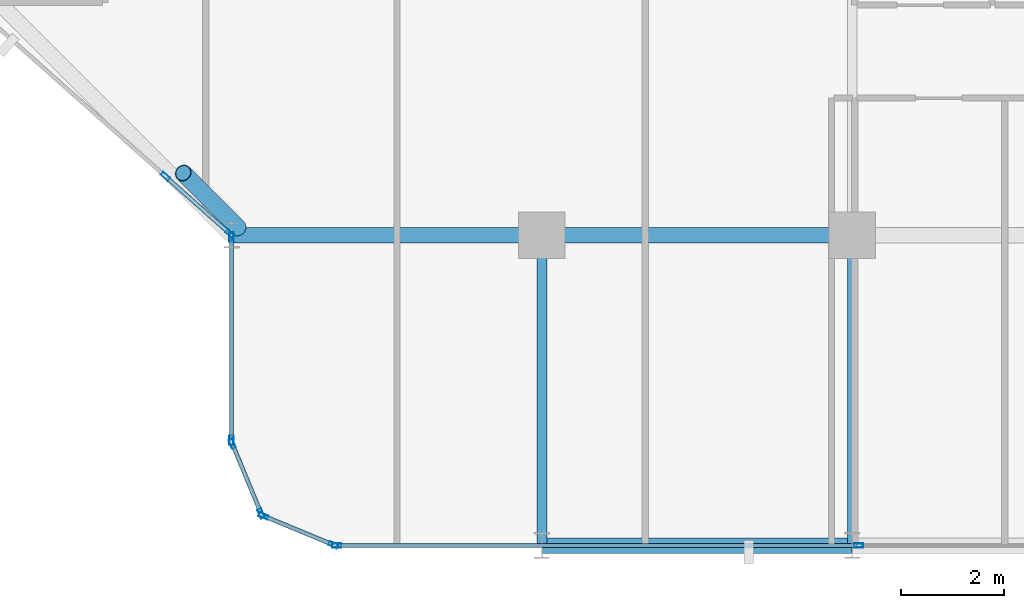
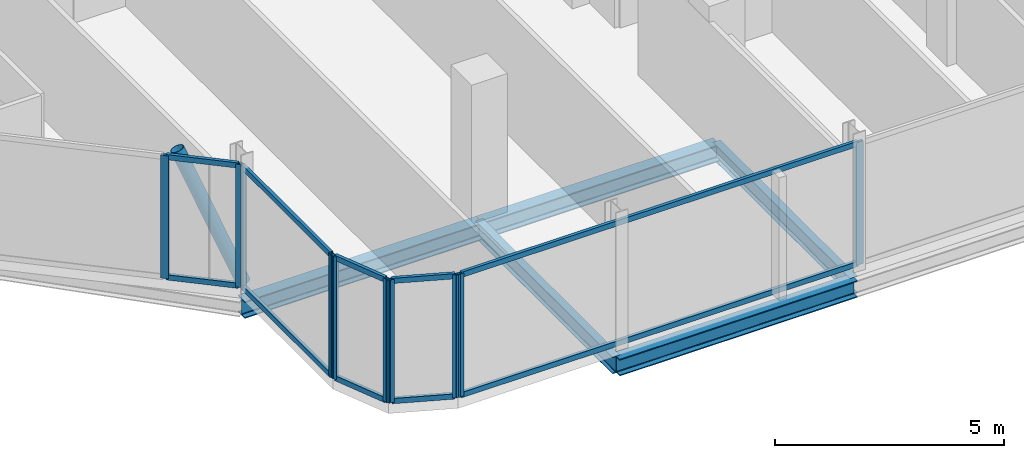
# One storey, part 5 of 31: 21 members, 5 beams, 5 elements without a shape of their own.
"""IFC4 building model written with IfcOpenShell, lengths in metres."""

from ifc_helpers import new_model, si_unit, direction, frame, origin, origin_2d, place, context, subcontext, project, spatial, hollow_rectangle, hollow_circle, i_section, extrude, material, layer, layer_set, material_profile, profile_set, type_object, element, aggregate, save


model = new_model("IFC4")

# Units and contexts
model_context = context("Model", 3, precision=1e-05, world=origin(), true_north=direction((0.0, 1.0)))
body_context = subcontext(model_context, "Body", "Model", "MODEL_VIEW")
ifc_project = project(units=[si_unit("LENGTHUNIT", "METRE"), si_unit("AREAUNIT", "SQUARE_METRE"), si_unit("VOLUMEUNIT", "CUBIC_METRE"), si_unit("PLANEANGLEUNIT", "RADIAN"), si_unit("MASSUNIT", "GRAM", prefix="KILO")], contexts=[model_context])

# Site, building, storey
site_placement = place(None, origin())
site = spatial("IfcSite", under=ifc_project, at=site_placement, CompositionType="ELEMENT")
building_placement = place(site_placement, origin())
building = spatial("IfcBuilding", under=site, at=building_placement, Name="Keshet Zoharim Tower", CompositionType="ELEMENT")
storey_placement = place(building_placement, frame((0.0, 0.0, 155.699951171875)))
storey = spatial("IfcBuildingStorey", under=building, at=storey_placement, Name="L38", CompositionType="ELEMENT", Elevation=155.699951171875)

# Beams
ifc_material_1 = material(Name="Steel S355", Category="steel")
ifc_material_profile_1 = material_profile(ifc_material_1, i_section(OverallWidth=0.18994140625, OverallDepth=0.449951171875, WebThickness=0.009521484375, FlangeThickness=0.0146484375, FilletRadius=0.02099609375, at=origin_2d()), Name="IPE450")
ifc_profile_set_1 = profile_set([ifc_material_profile_1], Name="Steel S355")
beam_type_1 = type_object("IfcBeamType", Name="BM-PRI-IP450", PredefinedType="BEAM", material=ifc_profile_set_1)
for number, where, z_axis, x_axis, name in (
    (1, (27.0, 0.699951171875, -0.5400390625), (0.0, 1.0, 0.0), (-1.0, 0.0, 0.0), "L38 Primary Girder Y-004"),
    (2, (33.0, 0.699951171875, -0.5400390625), (0.0, 1.0, 0.0), (-1.0, 0.0, 0.0), "L38 Primary Girder Y-005"),
):
    element("IfcBeam", number, at=place(storey_placement, frame(where, z_axis=z_axis, x_axis=x_axis)), inside=storey, type_object=beam_type_1, Name=name, PredefinedType="BEAM", context=body_context, shape_type="SweptSolid", body=[
        extrude(i_section(OverallWidth=0.18994140625, OverallDepth=0.449951171875, WebThickness=0.009521484375, FlangeThickness=0.0146484375, FilletRadius=0.02099609375, at=origin_2d()), origin(), (0.0, 0.0, 1.0), 6.0),
    ])
ifc_material_profile_2 = material_profile(ifc_material_1, i_section(OverallWidth=0.300048828125, OverallDepth=0.449951171875, WebThickness=0.013916015625, FlangeThickness=0.02587890625, FilletRadius=0.027099609375, at=origin_2d()), Name="HEB450")
ifc_profile_set_2 = profile_set([ifc_material_profile_2], Name="Steel S355")
beam_type_2 = type_object("IfcBeamType", Name="BM-WEB-HB450", PredefinedType="BEAM", material=ifc_profile_set_2)
for number, where, z_axis, x_axis, name in (
    (3, (27.0, 0.699951171875, -0.5400390625), (1.0, 0.0, 0.0), (0.0, 1.0, 0.0), "L38 Primary Girder X-001"),
    (4, (21.0, 6.699951171875, -0.5400390625), (1.0, 0.0, 0.0), (0.0, 1.0, 0.0), "L38 Primary Girder X-005"),
    (5, (27.0, 6.699951171875, -0.5400390625), (1.0, 0.0, 0.0), (0.0, 1.0, 0.0), "L38 Primary Girder X-006"),
):
    element("IfcBeam", number, at=place(storey_placement, frame(where, z_axis=z_axis, x_axis=x_axis)), inside=storey, type_object=beam_type_2, Name=name, PredefinedType="BEAM", context=body_context, shape_type="SweptSolid", body=[
        extrude(i_section(OverallWidth=0.300048828125, OverallDepth=0.449951171875, WebThickness=0.013916015625, FlangeThickness=0.02587890625, FilletRadius=0.027099609375, at=origin_2d()), origin(), (0.0, 0.0, 1.0), 6.0),
    ])

# Curtain wall, members
ifc_material_2 = material(Name="Aluminium 6063-T6", Category="aluminium")
ifc_layer = layer(ifc_material_2, 0.159912109375)
ifc_layer_set = layer_set([ifc_layer], Name="Aluminium 6063-T6")
curtain_wall_type = type_object("IfcCurtainWallType", Name="CW-SYS-03", PredefinedType="NOTDEFINED", material=ifc_layer_set)
curtain_wall_1_placement = place(storey_placement, origin())
curtain_wall_1 = element("IfcCurtainWall", 6, at=curtain_wall_1_placement, inside=storey, type_object=curtain_wall_type, Name="L38 Unitised Curtain Wall 03 Part 3", PredefinedType="NOTDEFINED")
ifc_material_profile_3 = material_profile(ifc_material_2, hollow_rectangle(XDim=0.080078125, YDim=0.179931640625, WallThickness=0.00439453125, at=origin_2d()), Name="MUL-80x180")
ifc_profile_set_3 = profile_set([ifc_material_profile_3], Name="Aluminium 6063-T6")
member_type_1 = type_object("IfcMemberType", Name="CWM-M18", PredefinedType="MULLION", material=ifc_profile_set_3)
member_1_placement = place(storey_placement, frame((33.12646484375, 0.699951171875, 0.0), z_axis=(0.0, 0.0, 1.0), x_axis=(0.0, -1.0, 0.0)))
member_1 = element("IfcMember", 7, at=member_1_placement, type_object=member_type_1, Name="CW-03 mullion 2", PredefinedType="MULLION", context=body_context, shape_type="SweptSolid", body=[
    extrude(hollow_rectangle(XDim=0.080078125, YDim=0.179931640625, WallThickness=0.00439453125, at=origin_2d()), origin(), (0.0, 0.0, 1.0), 3.280029296875),
])
member_2_placement = place(storey_placement, frame((23.034912109375, 0.699951171875, 0.0), z_axis=(0.0, 0.0, 1.0), x_axis=(0.0, -1.0, 0.0)))
member_2 = element("IfcMember", 8, at=member_2_placement, type_object=member_type_1, Name="CW-03 mullion 3", PredefinedType="MULLION", context=body_context, shape_type="SweptSolid", body=[
    extrude(hollow_rectangle(XDim=0.080078125, YDim=0.179931640625, WallThickness=0.00439453125, at=origin_2d()), origin(), (0.0, 0.0, 1.0), 3.280029296875),
])

curtain_wall_2_placement = place(storey_placement, origin())
curtain_wall_2 = element("IfcCurtainWall", 9, at=curtain_wall_2_placement, inside=storey, type_object=curtain_wall_type, Name="L38 Unitised Curtain Wall 04", PredefinedType="NOTDEFINED")
member_3_placement = place(storey_placement, frame((22.9677734375, 0.71337890625, 0.0), z_axis=(0.0, 0.0, 1.0), x_axis=(-0.382851849847, -0.92380975372, 0.0)))
member_3 = element("IfcMember", 10, at=member_3_placement, type_object=member_type_1, Name="CW-03 mullion 1", PredefinedType="MULLION", context=body_context, shape_type="SweptSolid", body=[
    extrude(hollow_rectangle(XDim=0.080078125, YDim=0.179931640625, WallThickness=0.00439453125, at=origin_2d()), origin(), (0.0, 0.0, 1.0), 3.280029296875),
])
member_4_placement = place(storey_placement, frame((21.618408203125, 1.272705078125, 0.0), z_axis=(0.0, 0.0, 1.0), x_axis=(-0.382851849847, -0.92380975372, 0.0)))
member_4 = element("IfcMember", 11, at=member_4_placement, type_object=member_type_1, Name="CW-03 mullion 2", PredefinedType="MULLION", context=body_context, shape_type="SweptSolid", body=[
    extrude(hollow_rectangle(XDim=0.080078125, YDim=0.179931640625, WallThickness=0.00439453125, at=origin_2d()), origin(), (0.0, 0.0, 1.0), 3.280029296875),
])

curtain_wall_3_placement = place(storey_placement, origin())
curtain_wall_3 = element("IfcCurtainWall", 12, at=curtain_wall_3_placement, inside=storey, type_object=curtain_wall_type, Name="L38 Unitised Curtain Wall 05", PredefinedType="NOTDEFINED")
member_5_placement = place(storey_placement, frame((21.572509765625, 1.318359375, 0.0), z_axis=(0.0, 0.0, 1.0), x_axis=(-0.92380975372, -0.382851849847, 0.0)))
member_5 = element("IfcMember", 13, at=member_5_placement, type_object=member_type_1, Name="CW-03 mullion 1", PredefinedType="MULLION", context=body_context, shape_type="SweptSolid", body=[
    extrude(hollow_rectangle(XDim=0.080078125, YDim=0.179931640625, WallThickness=0.00439453125, at=origin_2d()), origin(), (0.0, 0.0, 1.0), 3.280029296875),
])
member_6_placement = place(storey_placement, frame((21.013427734375, 2.667724609375, 0.0), z_axis=(0.0, 0.0, 1.0), x_axis=(-0.92380975372, -0.382851849847, 0.0)))
member_6 = element("IfcMember", 14, at=member_6_placement, type_object=member_type_1, Name="CW-03 mullion 2", PredefinedType="MULLION", context=body_context, shape_type="SweptSolid", body=[
    extrude(hollow_rectangle(XDim=0.080078125, YDim=0.179931640625, WallThickness=0.00439453125, at=origin_2d()), origin(), (0.0, 0.0, 1.0), 3.280029296875),
])

curtain_wall_4_placement = place(storey_placement, origin())
curtain_wall_4 = element("IfcCurtainWall", 15, at=curtain_wall_4_placement, inside=storey, type_object=curtain_wall_type, Name="L38 Unitised Curtain Wall 06", PredefinedType="NOTDEFINED")
member_7_placement = place(storey_placement, frame((21.0, 2.735107421875, 0.0), z_axis=(0.0, 0.0, 1.0), x_axis=(-1.0, 0.0, 0.0)))
member_7 = element("IfcMember", 16, at=member_7_placement, type_object=member_type_1, Name="CW-03 mullion 1", PredefinedType="MULLION", context=body_context, shape_type="SweptSolid", body=[
    extrude(hollow_rectangle(XDim=0.080078125, YDim=0.179931640625, WallThickness=0.00439453125, at=origin_2d()), origin(), (0.0, 0.0, 1.0), 3.280029296875),
])
member_8_placement = place(storey_placement, frame((21.0, 6.6650390625, 0.0), z_axis=(0.0, 0.0, 1.0), x_axis=(-1.0, 0.0, 0.0)))
member_8 = element("IfcMember", 17, at=member_8_placement, type_object=member_type_1, Name="CW-03 mullion 2", PredefinedType="MULLION", context=body_context, shape_type="SweptSolid", body=[
    extrude(hollow_rectangle(XDim=0.080078125, YDim=0.179931640625, WallThickness=0.00439453125, at=origin_2d()), origin(), (0.0, 0.0, 1.0), 3.280029296875),
])

curtain_wall_5_placement = place(storey_placement, origin())
curtain_wall_5 = element("IfcCurtainWall", 18, at=curtain_wall_5_placement, inside=storey, type_object=curtain_wall_type, Name="L38 Unitised Curtain Wall 07", PredefinedType="NOTDEFINED")
member_9_placement = place(storey_placement, frame((20.973876953125, 6.72314453125, 0.0), z_axis=(0.0, 0.0, 1.0), x_axis=(-0.664378063354, -0.74739667442, 0.0)))
member_9 = element("IfcMember", 19, at=member_9_placement, type_object=member_type_1, Name="CW-03 mullion 1", PredefinedType="MULLION", context=body_context, shape_type="SweptSolid", body=[
    extrude(hollow_rectangle(XDim=0.080078125, YDim=0.179931640625, WallThickness=0.00439453125, at=origin_2d()), origin(), (0.0, 0.0, 1.0), 3.280029296875),
])
member_10_placement = place(storey_placement, frame((19.7216796875, 7.83642578125, 0.0), z_axis=(0.0, 0.0, 1.0), x_axis=(-0.664378063354, -0.74739667442, 0.0)))
member_10 = element("IfcMember", 20, at=member_10_placement, type_object=member_type_1, Name="CW-03 mullion 2", PredefinedType="MULLION", context=body_context, shape_type="SweptSolid", body=[
    extrude(hollow_rectangle(XDim=0.080078125, YDim=0.179931640625, WallThickness=0.00439453125, at=origin_2d()), origin(), (0.0, 0.0, 1.0), 3.280029296875),
])

# Member
ifc_material_profile_4 = material_profile(ifc_material_2, hollow_rectangle(XDim=0.080078125, YDim=0.139892578125, WallThickness=0.00390625, at=origin_2d()), Name="TRN-80x140")
ifc_profile_set_4 = profile_set([ifc_material_profile_4], Name="Aluminium 6063-T6")
member_type_2 = type_object("IfcMemberType", Name="CWT-T14", PredefinedType="USERDEFINED", material=ifc_profile_set_4)
member_11_placement = place(storey_placement, frame((33.09130859375, 0.699951171875, 0.03515625), z_axis=(-1.0, 0.0, 0.0), x_axis=(0.0, -1.0, 0.0)))
member_11 = element("IfcMember", 21, at=member_11_placement, type_object=member_type_2, Name="CW-03 transom 2.1", ObjectType="TRANSOM", PredefinedType="USERDEFINED", context=body_context, shape_type="SweptSolid", body=[
    extrude(hollow_rectangle(XDim=0.080078125, YDim=0.139892578125, WallThickness=0.00390625, at=origin_2d()), origin(), (0.0, 0.0, 1.0), 10.021240234375),
])

member_12_placement = place(storey_placement, frame((33.09130859375, 0.699951171875, 3.2451171875), z_axis=(-1.0, 0.0, 0.0), x_axis=(0.0, -1.0, 0.0)))
member_12 = element("IfcMember", 22, at=member_12_placement, type_object=member_type_2, Name="CW-03 transom 2.2", ObjectType="TRANSOM", PredefinedType="USERDEFINED", context=body_context, shape_type="SweptSolid", body=[
    extrude(hollow_rectangle(XDim=0.080078125, YDim=0.139892578125, WallThickness=0.00390625, at=origin_2d()), origin(), (0.0, 0.0, 1.0), 10.021240234375),
])

aggregate(curtain_wall_1, [member_1, member_2, member_11, member_12])

member_13_placement = place(storey_placement, frame((22.935302734375, 0.726806640625, 0.03515625), z_axis=(-0.92379209995, 0.382894445076, 0.0), x_axis=(-0.382894445076, -0.92379209995, 0.0)))
member_13 = element("IfcMember", 23, at=member_13_placement, type_object=member_type_2, Name="CW-03 transom 1.1", ObjectType="TRANSOM", PredefinedType="USERDEFINED", context=body_context, shape_type="SweptSolid", body=[
    extrude(hollow_rectangle(XDim=0.080078125, YDim=0.139892578125, WallThickness=0.00390625, at=origin_2d()), origin(), (0.0, 0.0, 1.0), 1.390625),
])

member_14_placement = place(storey_placement, frame((22.935302734375, 0.726806640625, 3.2451171875), z_axis=(-0.92379209995, 0.382894445076, 0.0), x_axis=(-0.382894445076, -0.92379209995, 0.0)))
member_14 = element("IfcMember", 24, at=member_14_placement, type_object=member_type_2, Name="CW-03 transom 1.2", ObjectType="TRANSOM", PredefinedType="USERDEFINED", context=body_context, shape_type="SweptSolid", body=[
    extrude(hollow_rectangle(XDim=0.080078125, YDim=0.139892578125, WallThickness=0.00390625, at=origin_2d()), origin(), (0.0, 0.0, 1.0), 1.390625),
])

aggregate(curtain_wall_2, [member_3, member_4, member_13, member_14])

member_15_placement = place(storey_placement, frame((21.55908203125, 1.3505859375, 0.03515625), z_axis=(-0.382744609247, 0.923854189844, 0.0), x_axis=(-0.923854189844, -0.382744609247, 0.0)))
member_15 = element("IfcMember", 25, at=member_15_placement, type_object=member_type_2, Name="CW-03 transom 1.1", ObjectType="TRANSOM", PredefinedType="USERDEFINED", context=body_context, shape_type="SweptSolid", body=[
    extrude(hollow_rectangle(XDim=0.080078125, YDim=0.139892578125, WallThickness=0.00390625, at=origin_2d()), origin(), (0.0, 0.0, 1.0), 1.390625),
])

member_16_placement = place(storey_placement, frame((21.55908203125, 1.3505859375, 3.2451171875), z_axis=(-0.382744609247, 0.923854189844, 0.0), x_axis=(-0.923854189844, -0.382744609247, 0.0)))
member_16 = element("IfcMember", 26, at=member_16_placement, type_object=member_type_2, Name="CW-03 transom 1.2", ObjectType="TRANSOM", PredefinedType="USERDEFINED", context=body_context, shape_type="SweptSolid", body=[
    extrude(hollow_rectangle(XDim=0.080078125, YDim=0.139892578125, WallThickness=0.00390625, at=origin_2d()), origin(), (0.0, 0.0, 1.0), 1.390625),
])

aggregate(curtain_wall_3, [member_5, member_6, member_15, member_16])

member_17_placement = place(storey_placement, frame((21.0, 2.77001953125, 0.03515625), z_axis=(0.0, 1.0, 0.0), x_axis=(-1.0, 0.0, 0.0)))
member_17 = element("IfcMember", 27, at=member_17_placement, type_object=member_type_2, Name="CW-03 transom 1.1", ObjectType="TRANSOM", PredefinedType="USERDEFINED", context=body_context, shape_type="SweptSolid", body=[
    extrude(hollow_rectangle(XDim=0.080078125, YDim=0.139892578125, WallThickness=0.00390625, at=origin_2d()), origin(), (0.0, 0.0, 1.0), 3.85986328125),
])

member_18_placement = place(storey_placement, frame((21.0, 2.77001953125, 3.2451171875), z_axis=(0.0, 1.0, 0.0), x_axis=(-1.0, 0.0, 0.0)))
member_18 = element("IfcMember", 28, at=member_18_placement, type_object=member_type_2, Name="CW-03 transom 1.2", ObjectType="TRANSOM", PredefinedType="USERDEFINED", context=body_context, shape_type="SweptSolid", body=[
    extrude(hollow_rectangle(XDim=0.080078125, YDim=0.139892578125, WallThickness=0.00390625, at=origin_2d()), origin(), (0.0, 0.0, 1.0), 3.85986328125),
])

aggregate(curtain_wall_4, [member_7, member_8, member_17, member_18])

member_19_placement = place(storey_placement, frame((20.94775390625, 6.74658203125, 0.03515625), z_axis=(-0.747476440125, 0.664288319525, 0.0), x_axis=(-0.664288319525, -0.747476440125, 0.0)))
member_19 = element("IfcMember", 29, at=member_19_placement, type_object=member_type_2, Name="CW-03 transom 1.1", ObjectType="TRANSOM", PredefinedType="USERDEFINED", context=body_context, shape_type="SweptSolid", body=[
    extrude(hollow_rectangle(XDim=0.080078125, YDim=0.139892578125, WallThickness=0.00390625, at=origin_2d()), origin(), (0.0, 0.0, 1.0), 1.605224609375),
])

member_20_placement = place(storey_placement, frame((20.94775390625, 6.74658203125, 3.2451171875), z_axis=(-0.747476440125, 0.664288319525, 0.0), x_axis=(-0.664288319525, -0.747476440125, 0.0)))
member_20 = element("IfcMember", 30, at=member_20_placement, type_object=member_type_2, Name="CW-03 transom 1.2", ObjectType="TRANSOM", PredefinedType="USERDEFINED", context=body_context, shape_type="SweptSolid", body=[
    extrude(hollow_rectangle(XDim=0.080078125, YDim=0.139892578125, WallThickness=0.00390625, at=origin_2d()), origin(), (0.0, 0.0, 1.0), 1.605224609375),
])

aggregate(curtain_wall_5, [member_9, member_10, member_19, member_20])

ifc_material_profile_5 = material_profile(ifc_material_1, hollow_circle(Radius=0.161865234375, WallThickness=0.012451171875, at=origin_2d()), Name="CHS323x12.5")
ifc_profile_set_5 = profile_set([ifc_material_profile_5], Name="Steel S355")
member_type_3 = type_object("IfcMemberType", Name="MB-BR-C323", PredefinedType="BRACE", material=ifc_profile_set_5)
member_21_placement = place(storey_placement, frame((21.1259765625, 6.842041015625, 0.0), z_axis=(-0.294163012709, 0.294163012709, 0.909360348766), x_axis=(-0.707106781187, -0.707106781187, 0.0)))
element("IfcMember", 31, at=member_21_placement, inside=storey, type_object=member_type_3, Name="L38 Perimeter Tube Brace 01", PredefinedType="BRACE", context=body_context, shape_type="SweptSolid", body=[
    extrude(hollow_circle(Radius=0.161865234375, WallThickness=0.012451171875, at=origin_2d()), origin(), (0.0, 0.0, 1.0), 3.60693359375),
])

save(model, "model.ifc")
